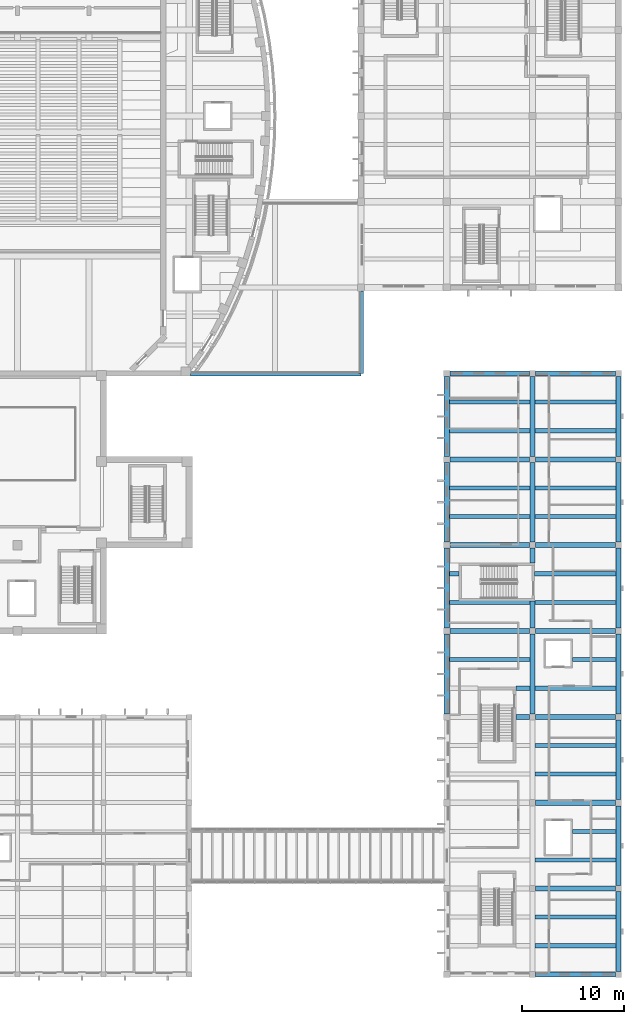
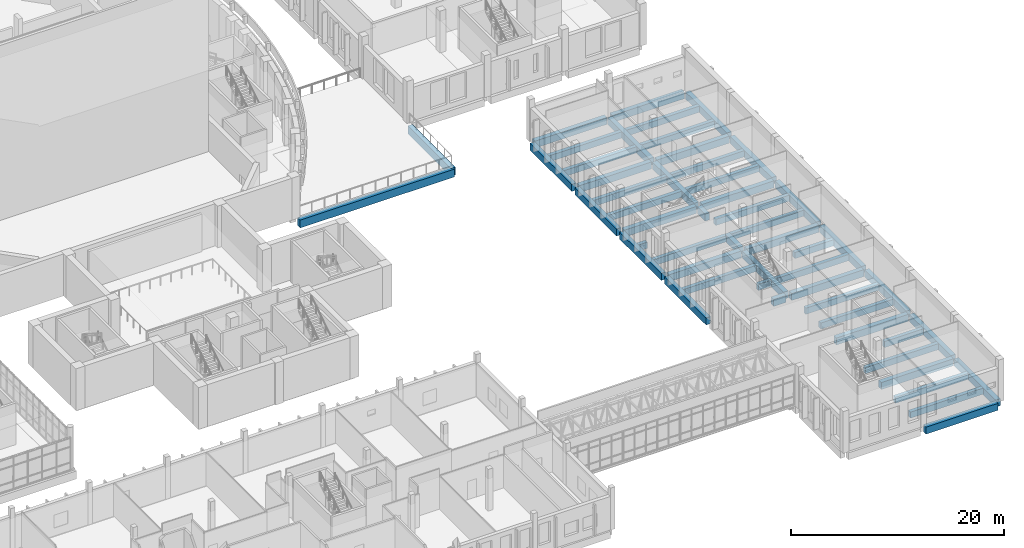
# One storey, part 15 of 119: 53 beams.
"""IFC4 building model written with IfcOpenShell, lengths in metres."""

from ifc_helpers import new_model, si_unit, direction, frame, origin, origin_2d, place, context, subcontext, project, spatial, rectangle, extrude, material, material_profile, profile_set, type_object, element, save


model = new_model("IFC4")

# Units and contexts
model_context = context("Model", 3, precision=1e-05, world=origin(), true_north=direction((0.0, 1.0)))
body_context = subcontext(model_context, "Body", "Model", "MODEL_VIEW")
ifc_project = project(units=[si_unit("LENGTHUNIT", "METRE"), si_unit("AREAUNIT", "SQUARE_METRE"), si_unit("VOLUMEUNIT", "CUBIC_METRE"), si_unit("PLANEANGLEUNIT", "RADIAN"), si_unit("MASSUNIT", "GRAM", prefix="KILO")], contexts=[model_context])

# Site, building, storey
site_placement = place(None, origin())
site = spatial("IfcSite", under=ifc_project, at=site_placement, CompositionType="ELEMENT")
building_placement = place(site_placement, origin())
building = spatial("IfcBuilding", under=site, at=building_placement, Name="Larchfold Concert Hall", CompositionType="ELEMENT")
storey_placement = place(building_placement, frame((0.0, 0.0, 4.800048828125)))
storey = spatial("IfcBuildingStorey", under=building, at=storey_placement, Name="L01", CompositionType="ELEMENT", Elevation=4.800048828125)

# Beams
ifc_material_1 = material(Name="Concrete C35/45", Category="concrete")
ifc_material_profile_1 = material_profile(ifc_material_1, rectangle(XDim=0.39990234375, YDim=0.699951171875, at=origin_2d()))
ifc_profile_set_1 = profile_set([ifc_material_profile_1], Name="Concrete C35/45")
beam_type_1 = type_object("IfcBeamType", Name="Beam RC 400x700", PredefinedType="BEAM", material=ifc_profile_set_1)
for number, where, z_axis, x_axis, name in (
    (1, (93.25, 3.39990234375, -0.510009765625), (1.0, 0.0, 0.0), (0.0, 1.0, 0.0), "Beam B0556"),
    (2, (93.25, 6.199951171875, -0.510009765625), (1.0, 0.0, 0.0), (0.0, 1.0, 0.0), "Beam B0559"),
    (3, (93.25, 11.800048828125, -0.510009765625), (1.0, 0.0, 0.0), (0.0, 1.0, 0.0), "Beam B0561"),
):
    element("IfcBeam", number, at=place(storey_placement, frame(where, z_axis=z_axis, x_axis=x_axis)), inside=storey, type_object=beam_type_1, Name=name, PredefinedType="BEAM", context=body_context, shape_type="SweptSolid", body=[
        extrude(rectangle(XDim=0.39990234375, YDim=0.699951171875, at=origin_2d()), origin(), (0.0, 0.0, 1.0), 7.89990234375),
    ])
beam_1_placement = place(storey_placement, frame((96.89990234375, 14.60009765625, -0.510009765625), z_axis=(1.0, 0.0, 0.0), x_axis=(0.0, 1.0, 0.0)))
element("IfcBeam", 4, at=beam_1_placement, inside=storey, type_object=beam_type_1, Name="Beam B0563", PredefinedType="BEAM", context=body_context, shape_type="SweptSolid", body=[
    extrude(rectangle(XDim=0.39990234375, YDim=0.699951171875, at=origin_2d()), origin(), (0.0, 0.0, 1.0), 4.25),
])
for number, where, z_axis, x_axis, name in (
    (5, (93.25, 20.199951171875, -0.510009765625), (1.0, 0.0, 0.0), (0.0, 1.0, 0.0), "Beam B0565"),
    (6, (93.25, 23.0, -0.510009765625), (1.0, 0.0, 0.0), (0.0, 1.0, 0.0), "Beam B0568"),
):
    element("IfcBeam", number, at=place(storey_placement, frame(where, z_axis=z_axis, x_axis=x_axis)), inside=storey, type_object=beam_type_1, Name=name, PredefinedType="BEAM", context=body_context, shape_type="SweptSolid", body=[
        extrude(rectangle(XDim=0.39990234375, YDim=0.699951171875, at=origin_2d()), origin(), (0.0, 0.0, 1.0), 7.89990234375),
    ])
beam_2_placement = place(storey_placement, frame((91.35009765625, 28.60009765625, -0.510009765625), z_axis=(1.0, 0.0, 0.0), x_axis=(0.0, 1.0, 0.0)))
element("IfcBeam", 7, at=beam_2_placement, inside=storey, type_object=beam_type_1, Name="Beam B0570", PredefinedType="BEAM", context=body_context, shape_type="SweptSolid", body=[
    extrude(rectangle(XDim=0.39990234375, YDim=0.699951171875, at=origin_2d()), origin(), (0.0, 0.0, 1.0), 1.39990234375),
])
for number, where, z_axis, x_axis, name in (
    (8, (93.25, 28.60009765625, -0.510009765625), (1.0, 0.0, 0.0), (0.0, 1.0, 0.0), "Beam B0571"),
    (9, (84.85009765625, 31.39990234375, -0.510009765625), (1.0, 0.0, 0.0), (0.0, 1.0, 0.0), "Beam B0572"),
):
    element("IfcBeam", number, at=place(storey_placement, frame(where, z_axis=z_axis, x_axis=x_axis)), inside=storey, type_object=beam_type_1, Name=name, PredefinedType="BEAM", context=body_context, shape_type="SweptSolid", body=[
        extrude(rectangle(XDim=0.39990234375, YDim=0.699951171875, at=origin_2d()), origin(), (0.0, 0.0, 1.0), 7.89990234375),
    ])
beam_3_placement = place(storey_placement, frame((96.89990234375, 31.39990234375, -0.510009765625), z_axis=(1.0, 0.0, 0.0), x_axis=(0.0, 1.0, 0.0)))
element("IfcBeam", 10, at=beam_3_placement, inside=storey, type_object=beam_type_1, Name="Beam B0573", PredefinedType="BEAM", context=body_context, shape_type="SweptSolid", body=[
    extrude(rectangle(XDim=0.39990234375, YDim=0.699951171875, at=origin_2d()), origin(), (0.0, 0.0, 1.0), 4.25),
])
for number, where, z_axis, x_axis, name in (
    (11, (84.85009765625, 37.0, -0.510009765625), (1.0, 0.0, 0.0), (0.0, 1.0, 0.0), "Beam B0574"),
    (12, (93.25, 37.0, -0.510009765625), (1.0, 0.0, 0.0), (0.0, 1.0, 0.0), "Beam B0575"),
):
    element("IfcBeam", number, at=place(storey_placement, frame(where, z_axis=z_axis, x_axis=x_axis)), inside=storey, type_object=beam_type_1, Name=name, PredefinedType="BEAM", context=body_context, shape_type="SweptSolid", body=[
        extrude(rectangle(XDim=0.39990234375, YDim=0.699951171875, at=origin_2d()), origin(), (0.0, 0.0, 1.0), 7.89990234375),
    ])
beam_4_placement = place(storey_placement, frame((84.85009765625, 39.800048828125, -0.510009765625), z_axis=(1.0, 0.0, 0.0), x_axis=(0.0, 1.0, 0.0)))
element("IfcBeam", 13, at=beam_4_placement, inside=storey, type_object=beam_type_1, Name="Beam B0576", PredefinedType="BEAM", context=body_context, shape_type="SweptSolid", body=[
    extrude(rectangle(XDim=0.39990234375, YDim=0.699951171875, at=origin_2d()), origin(), (0.0, 0.0, 1.0), 0.949951171875),
])
beam_5_placement = place(storey_placement, frame((93.199951171875, 39.800048828125, -0.510009765625), z_axis=(1.0, 0.0, 0.0), x_axis=(0.0, 1.0, 0.0)))
element("IfcBeam", 14, at=beam_5_placement, inside=storey, type_object=beam_type_1, Name="Beam B0577", PredefinedType="BEAM", context=body_context, shape_type="SweptSolid", body=[
    extrude(rectangle(XDim=0.39990234375, YDim=0.699951171875, at=origin_2d()), origin(), (0.0, 0.0, 1.0), 7.949951171875),
])
for number, where, z_axis, x_axis, name in (
    (15, (84.85009765625, 45.39990234375, -0.510009765625), (1.0, 0.0, 0.0), (0.0, 1.0, 0.0), "Beam B0578"),
    (16, (93.25, 45.39990234375, -0.510009765625), (1.0, 0.0, 0.0), (0.0, 1.0, 0.0), "Beam B0579"),
    (17, (84.85009765625, 48.199951171875, -0.510009765625), (1.0, 0.0, 0.0), (0.0, 1.0, 0.0), "Beam B0580"),
    (18, (93.25, 48.199951171875, -0.510009765625), (1.0, 0.0, 0.0), (0.0, 1.0, 0.0), "Beam B0581"),
    (19, (84.85009765625, 53.800048828125, -0.510009765625), (1.0, 0.0, 0.0), (0.0, 1.0, 0.0), "Beam B0582"),
    (20, (93.25, 53.800048828125, -0.510009765625), (1.0, 0.0, 0.0), (0.0, 1.0, 0.0), "Beam B0583"),
    (21, (84.85009765625, 56.60009765625, -0.510009765625), (1.0, 0.0, 0.0), (0.0, 1.0, 0.0), "Beam B0584"),
    (22, (93.25, 56.60009765625, -0.510009765625), (1.0, 0.0, 0.0), (0.0, 1.0, 0.0), "Beam B0585"),
):
    element("IfcBeam", number, at=place(storey_placement, frame(where, z_axis=z_axis, x_axis=x_axis)), inside=storey, type_object=beam_type_1, Name=name, PredefinedType="BEAM", context=body_context, shape_type="SweptSolid", body=[
        extrude(rectangle(XDim=0.39990234375, YDim=0.699951171875, at=origin_2d()), origin(), (0.0, 0.0, 1.0), 7.89990234375),
    ])
ifc_material_2 = material(Name="Concrete C35/45", Category="concrete")
ifc_material_profile_2 = material_profile(ifc_material_2, rectangle(XDim=0.5, YDim=0.800048828125, at=origin_2d()))
ifc_profile_set_2 = profile_set([ifc_material_profile_2], Name="Concrete C35/45")
beam_type_2 = type_object("IfcBeamType", Name="Beam RC 500x800", PredefinedType="BEAM", material=ifc_profile_set_2)
beam_6_placement = place(storey_placement, frame((84.60009765625, 26.10009765625, -0.56005859375), z_axis=(0.0, 1.0, 0.0), x_axis=(-1.0, 0.0, 0.0)))
element("IfcBeam", 23, at=beam_6_placement, inside=storey, type_object=beam_type_2, Name="Beam B0517", PredefinedType="BEAM", context=body_context, shape_type="SweptSolid", body=[
    extrude(rectangle(XDim=0.5, YDim=0.800048828125, at=origin_2d()), origin(), (0.0, 0.0, 1.0), 7.7998046875),
])
for number, where, z_axis, x_axis, name in (
    (24, (84.60009765625, 34.5, -0.56005859375), (0.0, 1.0, 0.0), (-1.0, 0.0, 0.0), "Beam B0518"),
    (25, (84.60009765625, 42.89990234375, -0.56005859375), (0.0, 1.0, 0.0), (-1.0, 0.0, 0.0), "Beam B0519"),
    (26, (84.60009765625, 51.300048828125, -0.56005859375), (0.0, 1.0, 0.0), (-1.0, 0.0, 0.0), "Beam B0520"),
):
    element("IfcBeam", number, at=place(storey_placement, frame(where, z_axis=z_axis, x_axis=x_axis)), inside=storey, type_object=beam_type_2, Name=name, PredefinedType="BEAM", context=body_context, shape_type="SweptSolid", body=[
        extrude(rectangle(XDim=0.5, YDim=0.800048828125, at=origin_2d()), origin(), (0.0, 0.0, 1.0), 7.800048828125),
    ])
beam_7_placement = place(storey_placement, frame((93.0, 26.10009765625, -0.56005859375), z_axis=(0.0, 1.0, 0.0), x_axis=(-1.0, 0.0, 0.0)))
element("IfcBeam", 27, at=beam_7_placement, inside=storey, type_object=beam_type_2, Name="Beam B0524", PredefinedType="BEAM", context=body_context, shape_type="SweptSolid", body=[
    extrude(rectangle(XDim=0.5, YDim=0.800048828125, at=origin_2d()), origin(), (0.0, 0.0, 1.0), 7.7998046875),
])
beam_8_placement = place(storey_placement, frame((93.0, 34.5, -0.56005859375), z_axis=(0.0, 1.0, 0.0), x_axis=(-1.0, 0.0, 0.0)))
element("IfcBeam", 28, at=beam_8_placement, inside=storey, type_object=beam_type_2, Name="Beam B0525", PredefinedType="BEAM", context=body_context, shape_type="SweptSolid", body=[
    extrude(rectangle(XDim=0.5, YDim=0.800048828125, at=origin_2d()), origin(), (0.0, 0.0, 1.0), 2.64990234375),
])
beam_9_placement = place(storey_placement, frame((93.0, 40.85009765625, -0.56005859375), z_axis=(0.0, 1.0, 0.0), x_axis=(-1.0, 0.0, 0.0)))
element("IfcBeam", 29, at=beam_9_placement, inside=storey, type_object=beam_type_2, Name="Beam B0526", PredefinedType="BEAM", context=body_context, shape_type="SweptSolid", body=[
    extrude(rectangle(XDim=0.5, YDim=0.800048828125, at=origin_2d()), origin(), (0.0, 0.0, 1.0), 1.449951171875),
])
for number, where, z_axis, x_axis, name in (
    (30, (93.0, 42.89990234375, -0.56005859375), (0.0, 1.0, 0.0), (-1.0, 0.0, 0.0), "Beam B0527"),
    (31, (93.0, 51.300048828125, -0.56005859375), (0.0, 1.0, 0.0), (-1.0, 0.0, 0.0), "Beam B0528"),
    (32, (101.39990234375, 0.89990234375, -0.56005859375), (0.0, 1.0, 0.0), (-1.0, 0.0, 0.0), "Beam B0529"),
    (33, (101.39990234375, 9.300048828125, -0.56005859375), (0.0, 1.0, 0.0), (-1.0, 0.0, 0.0), "Beam B0530"),
    (34, (101.39990234375, 17.699951171875, -0.56005859375), (0.0, 1.0, 0.0), (-1.0, 0.0, 0.0), "Beam B0531"),
):
    element("IfcBeam", number, at=place(storey_placement, frame(where, z_axis=z_axis, x_axis=x_axis)), inside=storey, type_object=beam_type_2, Name=name, PredefinedType="BEAM", context=body_context, shape_type="SweptSolid", body=[
        extrude(rectangle(XDim=0.5, YDim=0.800048828125, at=origin_2d()), origin(), (0.0, 0.0, 1.0), 7.800048828125),
    ])
beam_10_placement = place(storey_placement, frame((101.39990234375, 26.10009765625, -0.56005859375), z_axis=(0.0, 1.0, 0.0), x_axis=(-1.0, 0.0, 0.0)))
element("IfcBeam", 35, at=beam_10_placement, inside=storey, type_object=beam_type_2, Name="Beam B0532", PredefinedType="BEAM", context=body_context, shape_type="SweptSolid", body=[
    extrude(rectangle(XDim=0.5, YDim=0.800048828125, at=origin_2d()), origin(), (0.0, 0.0, 1.0), 7.7998046875),
])
for number, where, z_axis, x_axis, name in (
    (36, (101.39990234375, 34.5, -0.56005859375), (0.0, 1.0, 0.0), (-1.0, 0.0, 0.0), "Beam B0533"),
    (37, (101.39990234375, 42.89990234375, -0.56005859375), (0.0, 1.0, 0.0), (-1.0, 0.0, 0.0), "Beam B0534"),
    (38, (101.39990234375, 51.300048828125, -0.56005859375), (0.0, 1.0, 0.0), (-1.0, 0.0, 0.0), "Beam B0535"),
    (39, (93.300048828125, 0.60009765625, -0.56005859375), (1.0, 0.0, 0.0), (0.0, 1.0, 0.0), "Beam B0537"),
    (40, (93.300048828125, 9.0, -0.56005859375), (1.0, 0.0, 0.0), (0.0, 1.0, 0.0), "Beam B0540"),
    (41, (93.300048828125, 17.39990234375, -0.56005859375), (1.0, 0.0, 0.0), (0.0, 1.0, 0.0), "Beam B0542"),
):
    element("IfcBeam", number, at=place(storey_placement, frame(where, z_axis=z_axis, x_axis=x_axis)), inside=storey, type_object=beam_type_2, Name=name, PredefinedType="BEAM", context=body_context, shape_type="SweptSolid", body=[
        extrude(rectangle(XDim=0.5, YDim=0.800048828125, at=origin_2d()), origin(), (0.0, 0.0, 1.0), 7.800048828125),
    ])
beam_11_placement = place(storey_placement, frame((91.35009765625, 25.800048828125, -0.56005859375), z_axis=(1.0, 0.0, 0.0), x_axis=(0.0, 1.0, 0.0)))
element("IfcBeam", 42, at=beam_11_placement, inside=storey, type_object=beam_type_2, Name="Beam B0544", PredefinedType="BEAM", context=body_context, shape_type="SweptSolid", body=[
    extrude(rectangle(XDim=0.5, YDim=0.800048828125, at=origin_2d()), origin(), (0.0, 0.0, 1.0), 1.349853515625),
])
for number, where, z_axis, x_axis, name in (
    (43, (93.300048828125, 25.800048828125, -0.56005859375), (1.0, 0.0, 0.0), (0.0, 1.0, 0.0), "Beam B0545"),
    (44, (84.89990234375, 34.199951171875, -0.56005859375), (1.0, 0.0, 0.0), (0.0, 1.0, 0.0), "Beam B0546"),
    (45, (93.300048828125, 34.199951171875, -0.56005859375), (1.0, 0.0, 0.0), (0.0, 1.0, 0.0), "Beam B0547"),
    (46, (84.89990234375, 42.60009765625, -0.56005859375), (1.0, 0.0, 0.0), (0.0, 1.0, 0.0), "Beam B0548"),
    (47, (93.300048828125, 42.60009765625, -0.56005859375), (1.0, 0.0, 0.0), (0.0, 1.0, 0.0), "Beam B0549"),
    (48, (84.89990234375, 51.0, -0.56005859375), (1.0, 0.0, 0.0), (0.0, 1.0, 0.0), "Beam B0550"),
    (49, (93.300048828125, 51.0, -0.56005859375), (1.0, 0.0, 0.0), (0.0, 1.0, 0.0), "Beam B0551"),
    (50, (84.89990234375, 59.39990234375, -0.56005859375), (1.0, 0.0, 0.0), (0.0, 1.0, 0.0), "Beam B0552"),
    (51, (93.300048828125, 59.39990234375, -0.56005859375), (1.0, 0.0, 0.0), (0.0, 1.0, 0.0), "Beam B0553"),
):
    element("IfcBeam", number, at=place(storey_placement, frame(where, z_axis=z_axis, x_axis=x_axis)), inside=storey, type_object=beam_type_2, Name=name, PredefinedType="BEAM", context=body_context, shape_type="SweptSolid", body=[
        extrude(rectangle(XDim=0.5, YDim=0.800048828125, at=origin_2d()), origin(), (0.0, 0.0, 1.0), 7.800048828125),
    ])
ifc_material_3 = material(Name="Concrete C35/45", Category="concrete")
ifc_material_profile_3 = material_profile(ifc_material_3, rectangle(XDim=0.5, YDim=0.89990234375, at=origin_2d()))
ifc_profile_set_3 = profile_set([ifc_material_profile_3], Name="Concrete C35/45")
beam_type_3 = type_object("IfcBeamType", Name="Beam RC 500x900", PredefinedType="BEAM", material=ifc_profile_set_3)
beam_12_placement = place(storey_placement, frame((76.199951171875, 59.3798828125, -0.75), z_axis=(0.0, 1.0, 0.0), x_axis=(-1.0, 0.0, 0.0)))
element("IfcBeam", 52, at=beam_12_placement, inside=storey, type_object=beam_type_3, Name="Beam B1857", PredefinedType="BEAM", context=body_context, shape_type="SweptSolid", body=[
    extrude(rectangle(XDim=0.5, YDim=0.89990234375, at=origin_2d()), origin(), (0.0, 0.0, 1.0), 8.070068359375),
])
beam_13_placement = place(storey_placement, frame((59.4970703125, 59.39990234375, -0.75), z_axis=(1.0, 0.0, 0.0), x_axis=(0.0, 1.0, 0.0)))
element("IfcBeam", 53, at=beam_13_placement, inside=storey, type_object=beam_type_3, Name="Beam B1859", PredefinedType="BEAM", context=body_context, shape_type="SweptSolid", body=[
    extrude(rectangle(XDim=0.5, YDim=0.89990234375, at=origin_2d()), origin(), (0.0, 0.0, 1.0), 16.722900390625),
])

save(model, "model.ifc")
